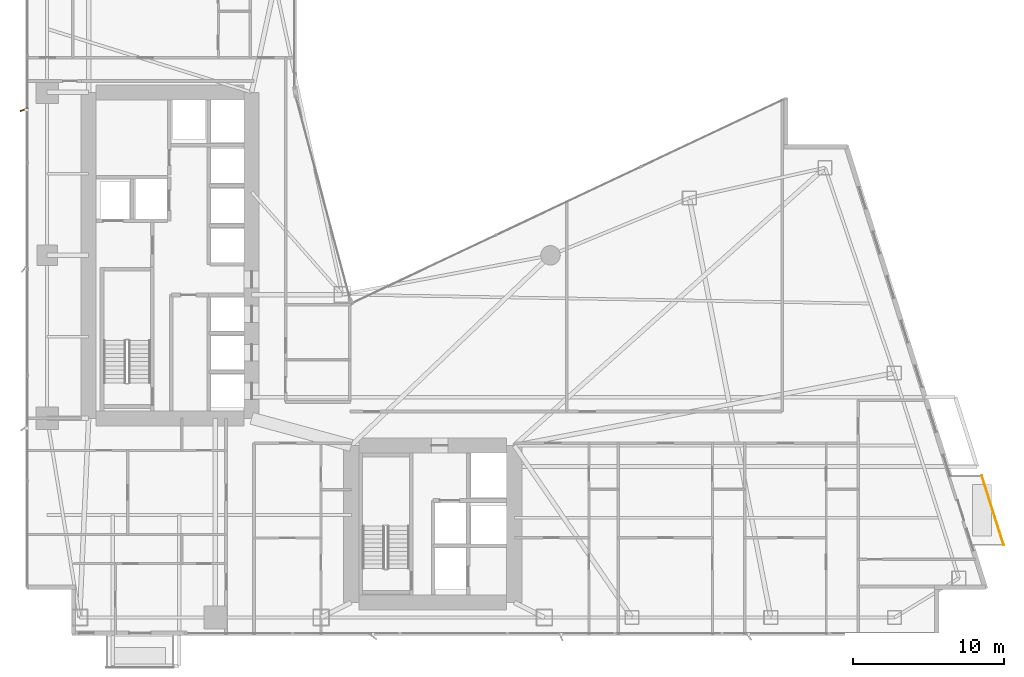
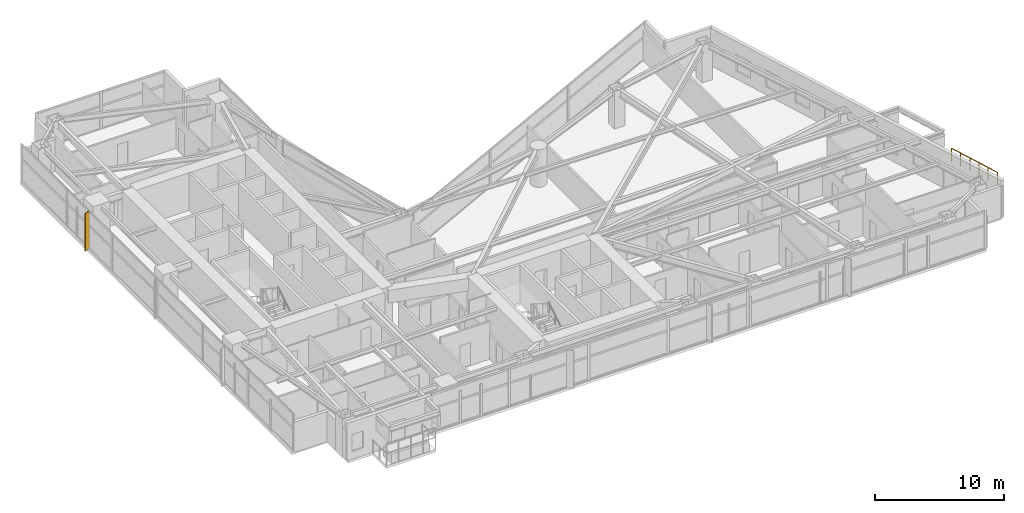
# One storey, part 30 of 30: 1 railing, 1 shading device.
"""IFC4 building model written with IfcOpenShell, lengths in metres."""

from ifc_helpers import new_model, si_unit, direction, frame, origin, origin_2d, place, context, subcontext, project, spatial, rectangle, circle, extrude, material, type_object, element, save


model = new_model("IFC4")

# Units and contexts
model_context = context("Model", 3, precision=1e-05, world=origin(), true_north=direction((0.0, 1.0)))
body_context = subcontext(model_context, "Body", "Model", "MODEL_VIEW")
ifc_project = project(units=[si_unit("LENGTHUNIT", "METRE"), si_unit("AREAUNIT", "SQUARE_METRE"), si_unit("VOLUMEUNIT", "CUBIC_METRE"), si_unit("PLANEANGLEUNIT", "RADIAN"), si_unit("MASSUNIT", "GRAM", prefix="KILO")], contexts=[model_context])

# Site, building, storey
site_placement = place(None, origin())
site = spatial("IfcSite", under=ifc_project, at=site_placement, CompositionType="ELEMENT")
building_placement = place(site_placement, origin())
building = spatial("IfcBuilding", under=site, at=building_placement, Name="Calvorn Quay Hotel", CompositionType="ELEMENT")
storey_placement = place(building_placement, frame((0.0, 0.0, 30.800048828125)))
storey = spatial("IfcBuildingStorey", under=building, at=storey_placement, Name="L06", CompositionType="ELEMENT", Elevation=30.800048828125)

# Railing
ifc_material_1 = material(Name="Pale Anodised Aluminium and Laminated Glass", Category="aluminium")
railing_type = type_object("IfcRailingType", Name="RLG-BALUSTRADE-1200", PredefinedType="BALUSTRADE", material=ifc_material_1)
railing_placement = place(storey_placement, frame((64.827880859375, 8.39990234375, 0.89990234375)))
element("IfcRailing", 1, at=railing_placement, inside=storey, type_object=railing_type, Name="Planter Kerb High Safety Screen L06-BALC-E", PredefinedType="BALUSTRADE", context=body_context, shape_type="SweptSolid", body=[
    extrude(circle(Radius=0.02392578125, at=origin_2d()), frame((0.0, 0.0, 1.19580078125), z_axis=(-0.300620172346, 0.953743944662, 0.0), x_axis=(-0.953743944662, -0.300620172346, 0.0)), (0.0, 0.0, 1.0), 4.8232421875),
    extrude(circle(Radius=0.02099609375, at=origin_2d()), origin(), (0.0, 0.0, 1.0), 1.171875),
    extrude(circle(Radius=0.02099609375, at=origin_2d()), frame((-0.2900390625, 0.919921875, 0.0)), (0.0, 0.0, 1.0), 1.171875),
    extrude(circle(Radius=0.02099609375, at=origin_2d()), frame((-0.580078125, 1.840087890625, 0.0)), (0.0, 0.0, 1.0), 1.171875),
    extrude(circle(Radius=0.02099609375, at=origin_2d()), frame((-0.869873046875, 2.760009765625, 0.0)), (0.0, 0.0, 1.0), 1.171875),
    extrude(circle(Radius=0.02099609375, at=origin_2d()), frame((-1.159912109375, 3.68017578125, 0.0)), (0.0, 0.0, 1.0), 1.171875),
    extrude(circle(Radius=0.02099609375, at=origin_2d()), frame((-1.449951171875, 4.60009765625, 0.0)), (0.0, 0.0, 1.0), 1.171875),
])

# Shading device
ifc_material_2 = material(Name="Champagne Bronze Anodised Aluminium 6063-T6", Category="aluminium")
shading_device_type = type_object("IfcShadingDeviceType", Name="SHD-FIN-A1", PredefinedType="USERDEFINED", material=ifc_material_2)
shading_device_placement = place(storey_placement, frame((-0.080078125, 37.25, 0.0), z_axis=(0.0, 0.0, 1.0), x_axis=(0.927183854567, 0.374606593416, 0.0)))
element("IfcShadingDevice", 2, at=shading_device_placement, inside=storey, type_object=shading_device_type, Name="Diagonal Sun-Shading Fin L06-W03", ObjectType="FIN", PredefinedType="USERDEFINED", context=body_context, shape_type="SweptSolid", body=[
    extrude(rectangle(XDim=0.550048828125, YDim=0.080078125, at=origin_2d()), origin(), (0.0, 0.0, 1.0), 3.56005859375),
])

save(model, "model.ifc")
